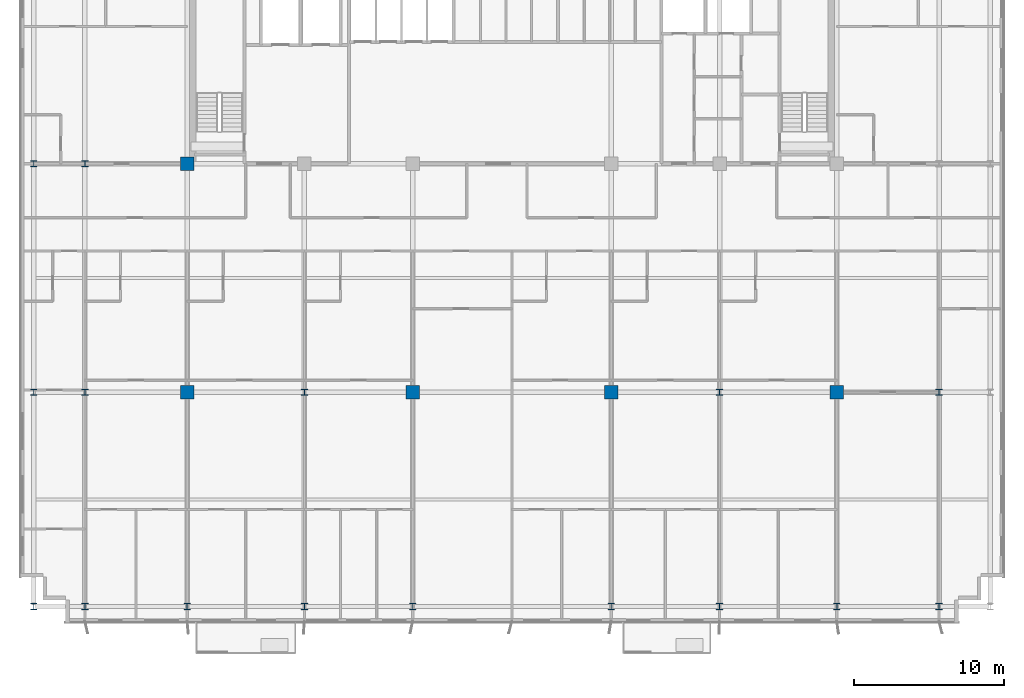
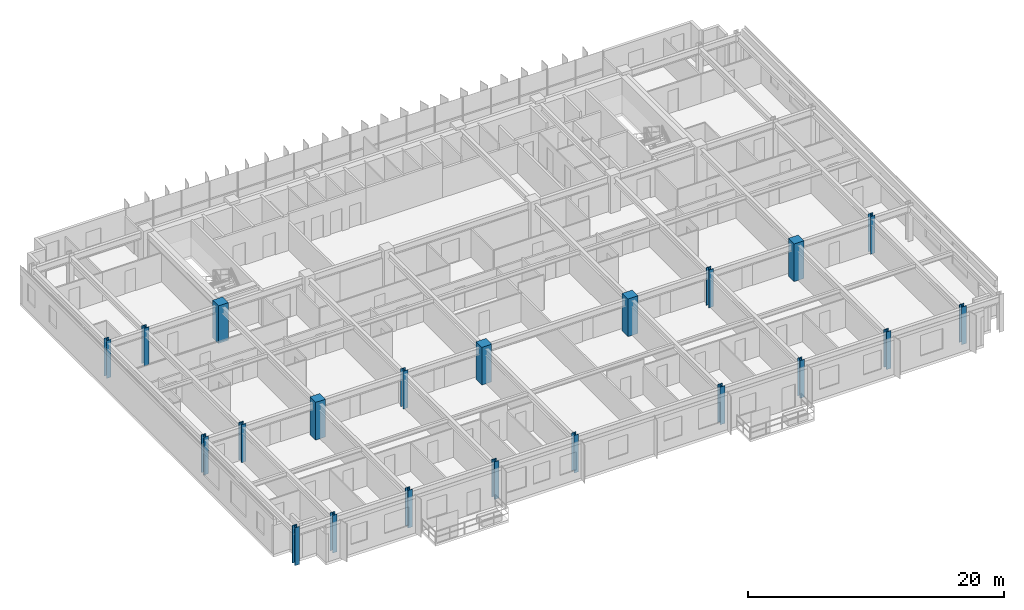
# One storey, part 1 of 24: 21 columns.
"""IFC4 building model written with IfcOpenShell, lengths in metres."""

from ifc_helpers import new_model, si_unit, direction, frame, origin, origin_2d, place, context, subcontext, project, spatial, rectangle, i_section, extrude, source, transform, mapped, material, material_profile, profile_set, type_object, element, save


model = new_model("IFC4")

# Units and contexts
model_context = context("Model", 3, precision=1e-05, world=origin(), true_north=direction((0.0, 1.0)))
body_context = subcontext(model_context, "Body", "Model", "MODEL_VIEW")
ifc_project = project(units=[si_unit("LENGTHUNIT", "METRE"), si_unit("AREAUNIT", "SQUARE_METRE"), si_unit("VOLUMEUNIT", "CUBIC_METRE"), si_unit("PLANEANGLEUNIT", "RADIAN"), si_unit("MASSUNIT", "GRAM", prefix="KILO")], contexts=[model_context])

# Site, building, storey
site_placement = place(None, origin())
site = spatial("IfcSite", under=ifc_project, at=site_placement, CompositionType="ELEMENT")
building_placement = place(site_placement, origin())
building = spatial("IfcBuilding", under=site, at=building_placement, Name="Trelvane Seafront Commons", CompositionType="ELEMENT")
storey_placement = place(building_placement, frame((0.0, 0.0, 30.699951171875)))
storey = spatial("IfcBuildingStorey", under=building, at=storey_placement, Name="L07", CompositionType="ELEMENT", Elevation=30.699951171875)

# Columns
ifc_material_1 = material(Name="Steel SM355 (S355)", Category="steel")
ifc_material_profile_1 = material_profile(ifc_material_1, i_section(OverallWidth=0.419921875, OverallDepth=0.419921875, WebThickness=0.02587890625, FlangeThickness=0.0400390625, at=origin_2d()), Name="HD-420x420x26x40")
ifc_profile_set_1 = profile_set([ifc_material_profile_1], Name="Steel SM355 (S355)")
column_type_1 = type_object("IfcColumnType", Name="STR-COL-HD420", PredefinedType="COLUMN", material=ifc_profile_set_1)
shared_shape_1 = source(origin(), body_context, "Body", "SweptSolid", [
    extrude(i_section(OverallWidth=0.419921875, OverallDepth=0.419921875, WebThickness=0.02587890625, FlangeThickness=0.0400390625, at=origin_2d()), origin(), (0.0, 0.0, 1.0), 3.60009765625),
])
for number, where, z_axis, x_axis, name in (
    (1, (5.39990234375, 3.949951171875, 0.0), (0.0, 0.0, 1.0), (1.0, 0.0, 0.0), "L07 Column TC-S5.4"),
    (2, (5.39990234375, 18.199951171875, 0.0), (0.0, 0.0, 1.0), (1.0, 0.0, 0.0), "L07 Column TC-M5.4"),
    (3, (5.39990234375, 33.39990234375, 0.0), (0.0, 0.0, 1.0), (1.0, 0.0, 0.0), "L07 Column TC-CS5.4"),
    (4, (8.800048828125, 3.949951171875, 0.0), (0.0, 0.0, 1.0), (1.0, 0.0, 0.0), "L07 Column TC-S8.8"),
    (5, (8.800048828125, 18.199951171875, 0.0), (0.0, 0.0, 1.0), (1.0, 0.0, 0.0), "L07 Column TC-M8.8"),
    (6, (8.800048828125, 33.39990234375, 0.0), (0.0, 0.0, 1.0), (1.0, 0.0, 0.0), "L07 Column TC-CS8.8"),
    (7, (15.60009765625, 3.949951171875, 0.0), (0.0, 0.0, 1.0), (1.0, 0.0, 0.0), "L07 Column TC-S15.6"),
    (8, (23.39990234375, 3.949951171875, 0.0), (0.0, 0.0, 1.0), (1.0, 0.0, 0.0), "L07 Column TC-S23.4"),
    (9, (23.39990234375, 18.199951171875, 0.0), (0.0, 0.0, 1.0), (1.0, 0.0, 0.0), "L07 Column TC-M23.4"),
    (10, (30.60009765625, 3.949951171875, 0.0), (0.0, 0.0, 1.0), (1.0, 0.0, 0.0), "L07 Column TC-S30.6"),
    (11, (43.800048828125, 3.949951171875, 0.0), (0.0, 0.0, 1.0), (1.0, 0.0, 0.0), "L07 Column TC-S43.8"),
    (12, (51.0, 3.949951171875, 0.0), (0.0, 0.0, 1.0), (1.0, 0.0, 0.0), "L07 Column TC-S51.0"),
    (13, (51.0, 18.199951171875, 0.0), (0.0, 0.0, 1.0), (1.0, 0.0, 0.0), "L07 Column TC-M51.0"),
    (14, (58.800048828125, 3.949951171875, 0.0), (0.0, 0.0, 1.0), (1.0, 0.0, 0.0), "L07 Column TC-S58.8"),
    (15, (65.60009765625, 3.949951171875, 0.0), (0.0, 0.0, 1.0), (1.0, 0.0, 0.0), "L07 Column TC-S65.6"),
    (16, (65.60009765625, 18.199951171875, 0.0), (0.0, 0.0, 1.0), (1.0, 0.0, 0.0), "L07 Column TC-M65.6"),
):
    element("IfcColumn", number, at=place(storey_placement, frame(where, z_axis=z_axis, x_axis=x_axis)), inside=storey, type_object=column_type_1, Name=name, PredefinedType="COLUMN", context=body_context, shape_type="MappedRepresentation", body=[
        mapped(shared_shape_1, transform((0.0, 0.0, 0.0), x_axis=(1.0, 0.0, 0.0), y_axis=(0.0, 1.0, 0.0), z_axis=(0.0, 0.0, 1.0), scale=1.0)),
    ])
ifc_material_2 = material(Name="Concrete C60/75", Category="concrete")
ifc_material_profile_2 = material_profile(ifc_material_2, rectangle(XDim=0.89990234375, YDim=0.89990234375, at=origin_2d()), Name="RC-900x900")
ifc_profile_set_2 = profile_set([ifc_material_profile_2], Name="Concrete C60/75")
column_type_2 = type_object("IfcColumnType", Name="STR-COL-RC900", PredefinedType="COLUMN", material=ifc_profile_set_2)
shared_shape_2 = source(origin(), body_context, "Body", "SweptSolid", [
    extrude(rectangle(XDim=0.89990234375, YDim=0.89990234375, at=origin_2d()), origin(), (0.0, 0.0, 1.0), 3.60009765625),
])
for number, where, z_axis, x_axis, name in (
    (17, (15.60009765625, 18.199951171875, 0.0), (0.0, 0.0, 1.0), (1.0, 0.0, 0.0), "L07 Column TC-M15.6"),
    (18, (15.60009765625, 33.39990234375, 0.0), (0.0, 0.0, 1.0), (1.0, 0.0, 0.0), "L07 Column TC-CS15.6"),
    (19, (30.60009765625, 18.199951171875, 0.0), (0.0, 0.0, 1.0), (1.0, 0.0, 0.0), "L07 Column TC-M30.6"),
    (20, (43.800048828125, 18.199951171875, 0.0), (0.0, 0.0, 1.0), (1.0, 0.0, 0.0), "L07 Column TC-M43.8"),
    (21, (58.800048828125, 18.199951171875, 0.0), (0.0, 0.0, 1.0), (1.0, 0.0, 0.0), "L07 Column TC-M58.8"),
):
    element("IfcColumn", number, at=place(storey_placement, frame(where, z_axis=z_axis, x_axis=x_axis)), inside=storey, type_object=column_type_2, Name=name, PredefinedType="COLUMN", context=body_context, shape_type="MappedRepresentation", body=[
        mapped(shared_shape_2, transform((0.0, 0.0, 0.0), x_axis=(1.0, 0.0, 0.0), y_axis=(0.0, 1.0, 0.0), z_axis=(0.0, 0.0, 1.0), scale=1.0)),
    ])

save(model, "model.ifc")
